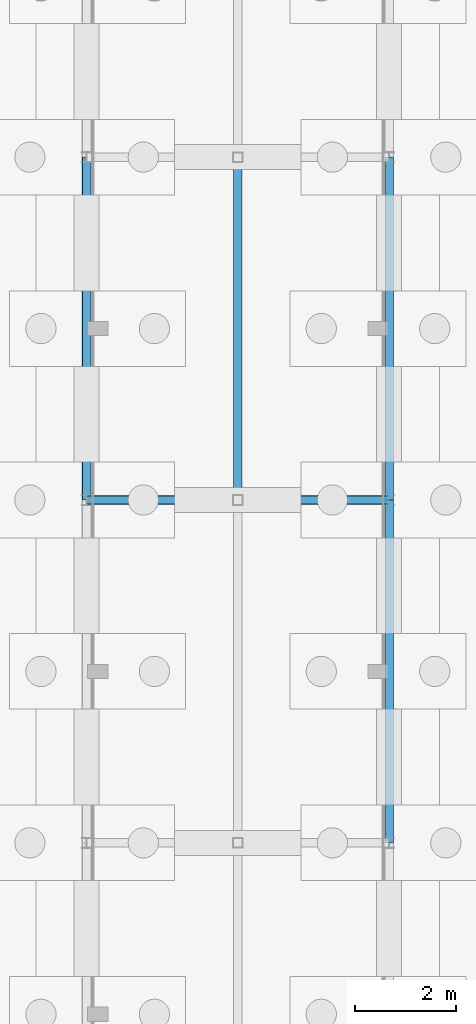
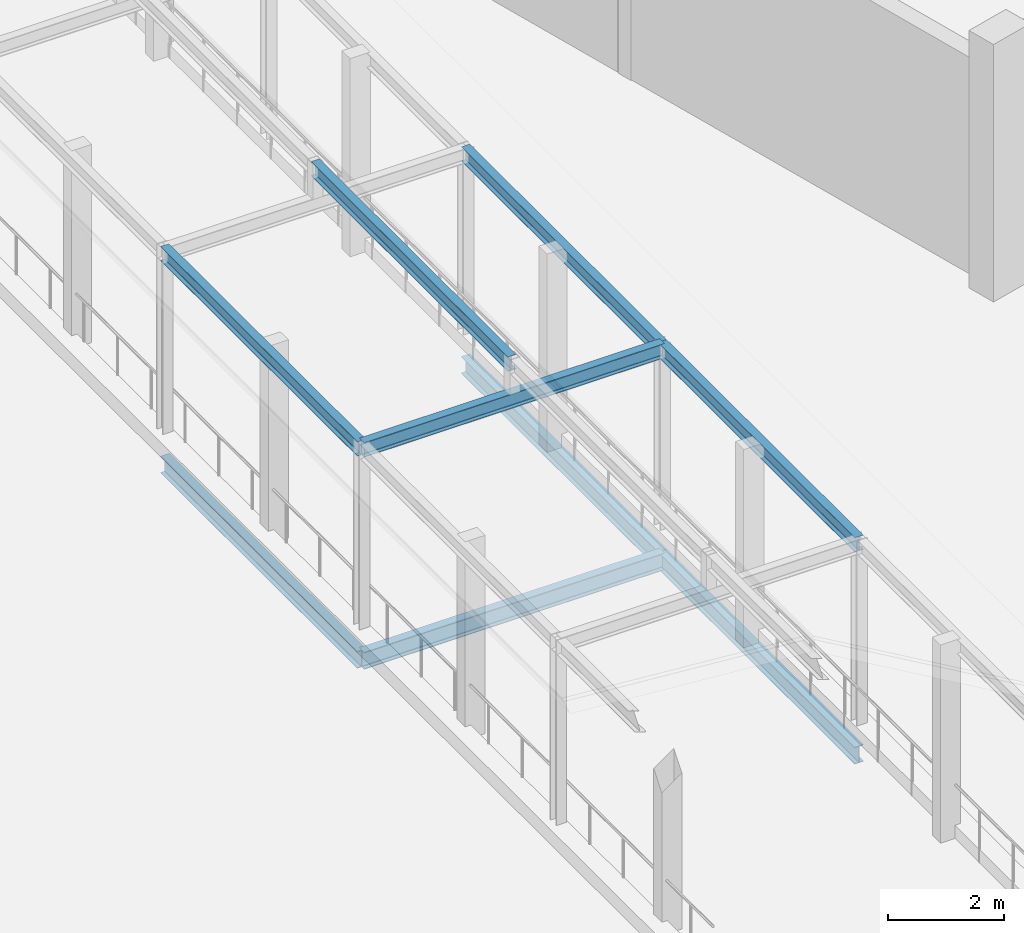
# One storey, part 33 of 137: 9 beams.
"""IFC4 building model written with IfcOpenShell, lengths in metres."""

import ifcopenshell
import ifcopenshell.guid

model = None  # the IFC model being written
_history = None  # IfcOwnerHistory: only IFC2X3 demands one
_inside = {}  # id of a spatial element -> (the spatial element, [elements in it])
_under = {}  # id of a project, library or spatial element -> (it, [spatial elements below it])
_declared = {}  # id of a project -> (the project, [libraries it declares])
_typed = {}  # id of a type object -> (the type object, [elements of that type])
_made_of = {}  # id of a material, layer set ... -> (it, [elements and type objects made of it])


def new_model(schema):
    """Start an empty IFC model of exactly this schema.

    Asked for "IFC4X3", IfcOpenShell would pick the latest addendum, in which some entities
    have other attributes; the version numbers below select the first issue.
    IFC2X3 requires an IfcOwnerHistory on every rooted entity: one is made here for all.
    """
    global model, _history
    if schema == "IFC4X3":
        model = ifcopenshell.file(schema_version=(4, 3, 0, 0))
    else:
        model = ifcopenshell.file(schema=schema)
    _inside.clear()
    _under.clear()
    _declared.clear()
    _typed.clear()
    _made_of.clear()
    _history = None
    if model.schema == "IFC2X3":
        org = make("IfcOrganization", Name="unknown")
        user = make(
            "IfcPersonAndOrganization",
            ThePerson=make("IfcPerson", FamilyName="unknown"),
            TheOrganization=org,
        )
        app = make(
            "IfcApplication",
            ApplicationDeveloper=org,
            Version="unknown",
            ApplicationFullName="unknown",
            ApplicationIdentifier="unknown",
        )
        _history = make(
            "IfcOwnerHistory",
            OwningUser=user,
            OwningApplication=app,
            ChangeAction="ADDED",
            CreationDate=0,
        )
    return model


def make(cls, **values):
    """One entity of the class cls with the attributes given. An attribute that is None is left unset."""
    return model.create_entity(
        cls, **{name: value for name, value in values.items() if value is not None}
    )


def rooted(cls, **values):
    """An entity with a GlobalId (a new one), such as an element, a storey or a relation."""
    return make(cls, GlobalId=ifcopenshell.guid.new(), OwnerHistory=_history, **values)


def si_unit(unit_type, name, prefix=None):
    """IfcSIUnit, for example si_unit("LENGTHUNIT", "METRE", prefix="MILLI")."""
    return make("IfcSIUnit", UnitType=unit_type, Prefix=prefix, Name=name)


def assignment(units):
    """IfcUnitAssignment: the units of a project."""
    return None if units is None else make("IfcUnitAssignment", Units=units)


def point(xyz):
    """IfcCartesianPoint."""
    return None if xyz is None else make("IfcCartesianPoint", Coordinates=xyz)


def direction(xyz):
    """IfcDirection."""
    return None if xyz is None else make("IfcDirection", DirectionRatios=xyz)


def frame(location, z_axis=None, x_axis=None):
    """IfcAxis2Placement3D, a coordinate frame: its origin and axes. An axis left out is left unset."""
    return make(
        "IfcAxis2Placement3D",
        Location=point(location),
        Axis=direction(z_axis),
        RefDirection=direction(x_axis),
    )


def frame_2d(location, x_axis=None):
    """IfcAxis2Placement2D, a coordinate frame in the plane: its origin and x axis."""
    return make(
        "IfcAxis2Placement2D", Location=point(location), RefDirection=direction(x_axis)
    )


def origin():
    """The frame at (0, 0, 0) with its axes left unset."""
    return frame((0.0, 0.0, 0.0))


def origin_2d():
    """The frame at (0, 0) in the plane with its x axis left unset."""
    return frame_2d((0.0, 0.0))


def place(relative_to, where):
    """IfcLocalPlacement: puts the frame where relative to a parent placement (None: the world)."""
    return make(
        "IfcLocalPlacement", PlacementRelTo=relative_to, RelativePlacement=where
    )


def context(
    kind, dimensions, precision=None, world=None, true_north=None, identifier=None
):
    """IfcGeometricRepresentationContext, for example the 3D "Model" context."""
    return make(
        "IfcGeometricRepresentationContext",
        ContextIdentifier=identifier,
        ContextType=kind,
        CoordinateSpaceDimension=dimensions,
        Precision=precision,
        WorldCoordinateSystem=world,
        TrueNorth=true_north,
    )


def subcontext(parent, identifier, kind, view, scale=None):
    """IfcGeometricRepresentationSubContext, for example "Body" below "Model"."""
    return make(
        "IfcGeometricRepresentationSubContext",
        ContextIdentifier=identifier,
        ContextType=kind,
        ParentContext=parent,
        TargetScale=scale,
        TargetView=view,
    )


def project(units=None, contexts=None):
    """IfcProject with its units and contexts."""
    return rooted(
        "IfcProject",
        Name="project",
        RepresentationContexts=contexts,
        UnitsInContext=assignment(units),
    )


def spatial(cls, under=None, at=None, **own):
    """A site, building, storey or space (cls), placed at a placement, below another one or the project."""
    s = rooted(cls, ObjectPlacement=at, **own)
    if under is not None:
        _under.setdefault(under.id(), (under, []))[1].append(s)
    return s


def profile(cls, at=None, kind="AREA", **sizes):
    """A parametric profile (cls). Its sizes go by their IFC names, for example OverallWidth=200.0."""
    return make(cls, ProfileType=kind, Position=at, **sizes)


def i_section(**sizes):
    """IfcIShapeProfileDef."""
    return profile("IfcIShapeProfileDef", **sizes)


def extrude(swept, where, along, depth):
    """IfcExtrudedAreaSolid: the profile swept, set in the frame where, extruded along a direction by depth."""
    return make(
        "IfcExtrudedAreaSolid",
        SweptArea=swept,
        Position=where,
        ExtrudedDirection=direction(along),
        Depth=depth,
    )


def shape(context_of_items, identifier, shape_type, items):
    """IfcShapeRepresentation: the items that make up one representation, for example the "Body"."""
    return make(
        "IfcShapeRepresentation",
        ContextOfItems=context_of_items,
        RepresentationIdentifier=identifier,
        RepresentationType=shape_type,
        Items=items,
    )


def material(Name=None, Category=None):
    """IfcMaterial."""
    return make("IfcMaterial", Name=Name, Category=Category)


def material_profile(
    of_material, cross_section, Name=None, Category=None, Priority=None
):
    """IfcMaterialProfile: a cross section and its material."""
    return make(
        "IfcMaterialProfile",
        Name=Name,
        Material=of_material,
        Profile=cross_section,
        Priority=Priority,
        Category=Category,
    )


def profile_set(profiles, Name=None, composite=None):
    """IfcMaterialProfileSet."""
    return make(
        "IfcMaterialProfileSet",
        Name=Name,
        MaterialProfiles=profiles,
        CompositeProfile=composite,
    )


def made_of(thing, what):
    """Note that an element or type object is made of a material, layer set ...; save() writes the relation."""
    if what is not None:
        _made_of.setdefault(what.id(), (what, []))[1].append(thing)
    return thing


def type_object(cls, material=None, **own):
    """A type object (cls), such as IfcWallType, which elements share."""
    return made_of(rooted(cls, **own), material)


def element(
    cls,
    number,
    at=None,
    inside=None,
    cuts=None,
    type_object=None,
    material=None,
    context=None,
    identifier="Body",
    shape_type=None,
    held_by="IfcProductDefinitionShape",
    body=None,
    shapes=None,
    **own,
):
    """One element of the class cls, such as IfcWall. Its Tag is "e" and its number.

    at: its placement. inside: the storey or other place that contains it. cuts: it is an
    opening in that element (IfcRelVoidsElement). A single representation is given by context,
    identifier, shape_type and body (its items); several are given by shapes. held_by: the class
    of the entity that holds the representations. save() writes the other relations.
    """
    e = rooted(cls, Tag="e%d" % number, ObjectPlacement=at, **own)
    if body is not None:
        shapes = [shape(context, identifier, shape_type, body)]
    if shapes is not None:
        e.Representation = make(held_by, Representations=shapes)
    if inside is not None:
        _inside.setdefault(inside.id(), (inside, []))[1].append(e)
    if cuts is not None:
        rooted(
            "IfcRelVoidsElement", RelatingBuildingElement=cuts, RelatedOpeningElement=e
        )
    if type_object is not None:
        _typed.setdefault(type_object.id(), (type_object, []))[1].append(e)
    return made_of(e, material)


def aggregate(whole, parts):
    """IfcRelAggregates: a whole, such as a stair, and the parts it consists of."""
    return rooted("IfcRelAggregates", RelatingObject=whole, RelatedObjects=parts)


def save(model, path):
    """Write the relations noted so far, then the file.

    IfcRelAggregates (storeys below a building ...), IfcRelContainedInSpatialStructure (elements
    in a storey), IfcRelDefinesByType, IfcRelAssociatesMaterial and IfcRelDeclares: one each for
    every whole, place, type object, material and project.
    """
    for whole, parts in _under.values():
        aggregate(whole, parts)
    for where, things in _inside.values():
        rooted(
            "IfcRelContainedInSpatialStructure",
            RelatedElements=things,
            RelatingStructure=where,
        )
    for kind, things in _typed.values():
        rooted("IfcRelDefinesByType", RelatedObjects=things, RelatingType=kind)
    for what, things in _made_of.values():
        rooted("IfcRelAssociatesMaterial", RelatedObjects=things, RelatingMaterial=what)
    for by, libraries in _declared.values():
        rooted("IfcRelDeclares", RelatingContext=by, RelatedDefinitions=libraries)
    model.write(path)


model = new_model("IFC4")

# Units and contexts
model_context = context("Model", 3, precision=1e-05, world=origin(), true_north=direction((0.0, 1.0)))
body_context = subcontext(model_context, "Body", "Model", "MODEL_VIEW")
ifc_project = project(units=[si_unit("LENGTHUNIT", "METRE"), si_unit("AREAUNIT", "SQUARE_METRE"), si_unit("VOLUMEUNIT", "CUBIC_METRE"), si_unit("PLANEANGLEUNIT", "RADIAN"), si_unit("MASSUNIT", "GRAM", prefix="KILO")], contexts=[model_context])

# Site, building, storey
site_placement = place(None, origin())
site = spatial("IfcSite", under=ifc_project, at=site_placement, CompositionType="ELEMENT")
building_placement = place(site_placement, origin())
building = spatial("IfcBuilding", under=site, at=building_placement, Name="Vondelvale Polytechnic", CompositionType="ELEMENT")
storey_placement = place(building_placement, origin())
storey = spatial("IfcBuildingStorey", under=building, at=storey_placement, Name="L00", CompositionType="ELEMENT", Elevation=0.0)

# Beams
ifc_material = material(Name="Steel 300PLUS (fy = 300 MPa)", Category="steel")
ifc_material_profile_1 = material_profile(ifc_material, i_section(OverallWidth=0.166015625, OverallDepth=0.306884765625, WebThickness=0.006591796875, FlangeThickness=0.01171875, FilletRadius=0.011474609375, at=origin_2d()), Name="310UB46.2")
ifc_profile_set_1 = profile_set([ifc_material_profile_1], Name="Steel 300PLUS (fy = 300 MPa)")
beam_type_1 = type_object("IfcBeamType", Name="BM-UB310H", PredefinedType="BEAM", material=ifc_profile_set_1)
for number, where, z_axis, x_axis, name in (
    (1, (105.0, 17.0, 4.026611328125), (0.0, 1.0, 0.0), (-1.0, 0.0, 0.0), "L00 BC B-16"),
    (2, (99.0, 23.800048828125, 4.026611328125), (0.0, 1.0, 0.0), (-1.0, 0.0, 0.0), "L00 BC B-16"),
    (3, (105.0, 23.800048828125, 4.026611328125), (0.0, 1.0, 0.0), (-1.0, 0.0, 0.0), "L00 BC B-16"),
):
    element("IfcBeam", number, at=place(storey_placement, frame(where, z_axis=z_axis, x_axis=x_axis)), inside=storey, type_object=beam_type_1, Name=name, PredefinedType="BEAM", context=body_context, shape_type="SweptSolid", body=[
        extrude(i_section(OverallWidth=0.166015625, OverallDepth=0.306884765625, WebThickness=0.006591796875, FlangeThickness=0.01171875, FilletRadius=0.011474609375, at=origin_2d()), origin(), (0.0, 0.0, 1.0), 6.800048828125),
    ])
beam_1_placement = place(storey_placement, frame((99.0, 23.800048828125, 4.026611328125), z_axis=(1.0, 0.0, 0.0), x_axis=(0.0, 1.0, 0.0)))
element("IfcBeam", 4, at=beam_1_placement, inside=storey, type_object=beam_type_1, Name="L00 BC B-16", PredefinedType="BEAM", context=body_context, shape_type="SweptSolid", body=[
    extrude(i_section(OverallWidth=0.166015625, OverallDepth=0.306884765625, WebThickness=0.006591796875, FlangeThickness=0.01171875, FilletRadius=0.011474609375, at=origin_2d()), origin(), (0.0, 0.0, 1.0), 6.0),
])
beam_2_placement = place(storey_placement, frame((102.0, 23.800048828125, 4.7666015625), z_axis=(0.0, 1.0, 0.0), x_axis=(-1.0, 0.0, 0.0)))
element("IfcBeam", 5, at=beam_2_placement, inside=storey, type_object=beam_type_1, Name="L00 BC B-16", PredefinedType="BEAM", context=body_context, shape_type="SweptSolid", body=[
    extrude(i_section(OverallWidth=0.166015625, OverallDepth=0.306884765625, WebThickness=0.006591796875, FlangeThickness=0.01171875, FilletRadius=0.011474609375, at=origin_2d()), origin(), (0.0, 0.0, 1.0), 6.800048828125),
])
ifc_material_profile_2 = material_profile(ifc_material, i_section(OverallWidth=0.172119140625, OverallDepth=0.35888671875, WebThickness=0.008056640625, FlangeThickness=0.012939453125, FilletRadius=0.011474609375, at=origin_2d()), Name="360UB56.7")
ifc_profile_set_2 = profile_set([ifc_material_profile_2], Name="Steel 300PLUS (fy = 300 MPa)")
beam_type_2 = type_object("IfcBeamType", Name="BM-UB360H", PredefinedType="BEAM", material=ifc_profile_set_2)
for number, where, z_axis, x_axis, name in (
    (6, (105.0, 17.0, -0.41943359375), (0.0, 1.0, 0.0), (-1.0, 0.0, 0.0), "L00 BB B-15"),
    (7, (99.0, 23.800048828125, -0.41943359375), (0.0, 1.0, 0.0), (-1.0, 0.0, 0.0), "L00 BB B-15"),
    (8, (105.0, 23.800048828125, -0.41943359375), (0.0, 1.0, 0.0), (-1.0, 0.0, 0.0), "L00 BB B-15"),
):
    element("IfcBeam", number, at=place(storey_placement, frame(where, z_axis=z_axis, x_axis=x_axis)), inside=storey, type_object=beam_type_2, Name=name, PredefinedType="BEAM", context=body_context, shape_type="SweptSolid", body=[
        extrude(i_section(OverallWidth=0.172119140625, OverallDepth=0.35888671875, WebThickness=0.008056640625, FlangeThickness=0.012939453125, FilletRadius=0.011474609375, at=origin_2d()), origin(), (0.0, 0.0, 1.0), 6.800048828125),
    ])
beam_3_placement = place(storey_placement, frame((99.0, 23.800048828125, -0.41943359375), z_axis=(1.0, 0.0, 0.0), x_axis=(0.0, 1.0, 0.0)))
element("IfcBeam", 9, at=beam_3_placement, inside=storey, type_object=beam_type_2, Name="L00 BX B-15", PredefinedType="BEAM", context=body_context, shape_type="SweptSolid", body=[
    extrude(i_section(OverallWidth=0.172119140625, OverallDepth=0.35888671875, WebThickness=0.008056640625, FlangeThickness=0.012939453125, FilletRadius=0.011474609375, at=origin_2d()), origin(), (0.0, 0.0, 1.0), 6.0),
])

save(model, "model.ifc")
